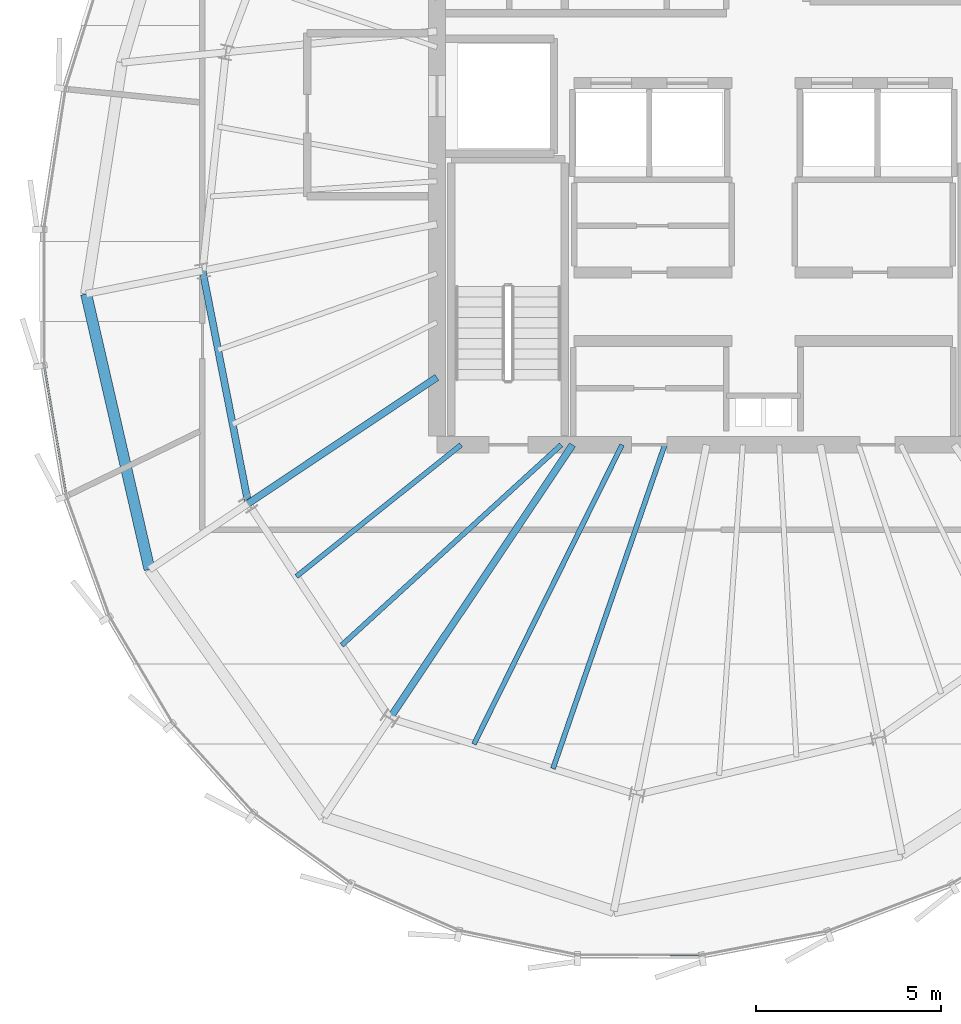
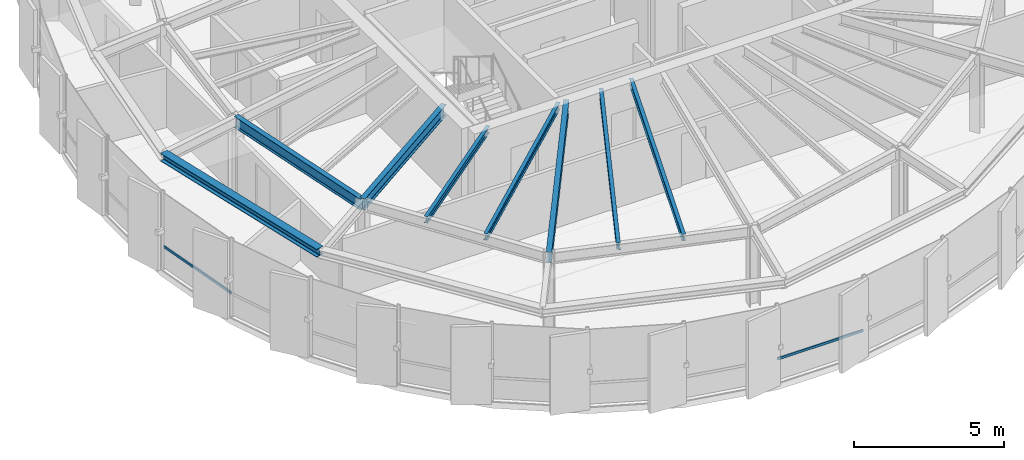
# One storey, part 5 of 31: 8 beams, 2 members, 2 elements without a shape of their own.
"""IFC4 building model written with IfcOpenShell, lengths in metres."""

from ifc_helpers import new_model, si_unit, direction, frame, origin, origin_2d, place, context, subcontext, project, spatial, hollow_rectangle, i_section, extrude, source, transform, mapped, material, layer, layer_set, material_profile, profile_set, type_object, element, aggregate, save


model = new_model("IFC4")

# Units and contexts
model_context = context("Model", 3, precision=1e-05, world=origin(), true_north=direction((0.0, 1.0)))
body_context = subcontext(model_context, "Body", "Model", "MODEL_VIEW")
ifc_project = project(units=[si_unit("LENGTHUNIT", "METRE"), si_unit("AREAUNIT", "SQUARE_METRE"), si_unit("VOLUMEUNIT", "CUBIC_METRE"), si_unit("PLANEANGLEUNIT", "RADIAN"), si_unit("MASSUNIT", "GRAM", prefix="KILO"), si_unit("THERMODYNAMICTEMPERATUREUNIT", "KELVIN")], contexts=[model_context])

# Site, building, storey
site_placement = place(None, origin())
site = spatial("IfcSite", under=ifc_project, at=site_placement, CompositionType="ELEMENT")
building_placement = place(site_placement, origin())
building = spatial("IfcBuilding", under=site, at=building_placement, Name="Kethvar Cultural Tower", CompositionType="ELEMENT")
storey_placement = place(building_placement, frame((0.0, 0.0, 276.699951171875)))
storey = spatial("IfcBuildingStorey", under=building, at=storey_placement, Name="L73", CompositionType="ELEMENT", Elevation=276.699951171875)

# Beams
ifc_material_1 = material(Name="Steel S355J2", Category="steel")
ifc_material_profile_1 = material_profile(ifc_material_1, i_section(OverallWidth=0.18994140625, OverallDepth=0.449951171875, WebThickness=0.009521484375, FlangeThickness=0.0146484375, FilletRadius=0.02099609375, at=origin_2d()), Name="Steel S355J2 — IPE450")
ifc_profile_set_1 = profile_set([ifc_material_profile_1], Name="Steel S355J2 — IPE450")
beam_type_1 = type_object("IfcBeamType", Name="BM-IPE450", PredefinedType="BEAM", material=ifc_profile_set_1)
shared_shape_1 = source(origin(), body_context, "Body", "SweptSolid", [
    extrude(i_section(OverallWidth=0.18994140625, OverallDepth=0.449951171875, WebThickness=0.009521484375, FlangeThickness=0.0146484375, FilletRadius=0.02099609375, at=origin_2d()), origin(), (0.0, 0.0, 1.0), 6.118408203125),
])
beam_1_placement = place(storey_placement, frame((38.0, 21.920166015625, 2.983154296875), z_axis=(-0.831466631282, -0.555574694406, 0.0), x_axis=(0.555574694406, -0.831466631282, 0.0)))
element("IfcBeam", 1, at=beam_1_placement, inside=storey, type_object=beam_type_1, Name="L73 Primary Radial Beam RB-10", PredefinedType="BEAM", context=body_context, shape_type="MappedRepresentation", body=[
    mapped(shared_shape_1, transform((0.0, 0.0, 0.0), scale=1.0)),
])
shared_shape_2 = source(origin(), body_context, "Body", "SweptSolid", [
    extrude(i_section(OverallWidth=0.18994140625, OverallDepth=0.449951171875, WebThickness=0.009521484375, FlangeThickness=0.0146484375, FilletRadius=0.02099609375, at=origin_2d()), origin(), (0.0, 0.0, 1.0), 8.86279296875),
])
beam_2_placement = place(storey_placement, frame((41.655029296875, 20.10009765625, 2.983154296875), z_axis=(-0.555564443415, -0.831473480764, 0.0), x_axis=(0.831473480764, -0.555564443415, 0.0)))
element("IfcBeam", 2, at=beam_2_placement, inside=storey, type_object=beam_type_1, Name="L73 Primary Radial Beam RB-11", PredefinedType="BEAM", context=body_context, shape_type="MappedRepresentation", body=[
    mapped(shared_shape_2, transform((0.0, 0.0, 0.0), scale=1.0)),
])
shared_shape_3 = source(origin(), body_context, "Body", "SweptSolid", [
    extrude(i_section(OverallWidth=0.18994140625, OverallDepth=0.449951171875, WebThickness=0.009521484375, FlangeThickness=0.0146484375, FilletRadius=0.02099609375, at=origin_2d()), origin(), (0.0, 0.0, 1.0), 6.391357421875),
])
beam_3_placement = place(storey_placement, frame((31.68310546875, 24.79296875, 2.983154296875), z_axis=(0.192405084368, -0.981315588131, 0.0), x_axis=(0.981315588131, 0.192405084368, 0.0)))
element("IfcBeam", 3, at=beam_3_placement, inside=storey, type_object=beam_type_1, Name="L73 Column Ring Tie Beam CR-09", PredefinedType="BEAM", context=body_context, shape_type="MappedRepresentation", body=[
    mapped(shared_shape_3, transform((0.0, 0.0, 0.0), scale=1.0)),
])
ifc_material_profile_2 = material_profile(ifc_material_1, i_section(OverallWidth=0.300048828125, OverallDepth=0.320068359375, WebThickness=0.011474609375, FlangeThickness=0.0205078125, FilletRadius=0.027099609375, at=origin_2d()), Name="Steel S355J2 — HEB320")
ifc_profile_set_2 = profile_set([ifc_material_profile_2], Name="Steel S355J2 — HEB320")
beam_type_2 = type_object("IfcBeamType", Name="BM-SP320", PredefinedType="SPANDREL", material=ifc_profile_set_2)
shared_shape_4 = source(origin(), body_context, "Body", "SweptSolid", [
    extrude(i_section(OverallWidth=0.300048828125, OverallDepth=0.320068359375, WebThickness=0.011474609375, FlangeThickness=0.0205078125, FilletRadius=0.027099609375, at=origin_2d()), origin(), (0.0, 0.0, 1.0), 7.619384765625),
])
beam_4_placement = place(storey_placement, frame((28.54443359375, 24.168701171875, 3.048095703125), z_axis=(0.224133998424, -0.974558336248, 0.0), x_axis=(0.974558336248, 0.224133998424, 0.0)))
element("IfcBeam", 4, at=beam_4_placement, inside=storey, type_object=beam_type_2, Name="L73 Perimeter Spandrel Beam SP-09", PredefinedType="SPANDREL", context=body_context, shape_type="MappedRepresentation", body=[
    mapped(shared_shape_4, transform((0.0, 0.0, 0.0), scale=1.0)),
])
ifc_material_profile_3 = material_profile(ifc_material_1, i_section(OverallWidth=0.135009765625, OverallDepth=0.27001953125, WebThickness=0.006591796875, FlangeThickness=0.01025390625, FilletRadius=0.014892578125, at=origin_2d()), Name="Steel S355J2 — IPE270")
ifc_profile_set_3 = profile_set([ifc_material_profile_3], Name="Steel S355J2 — IPE270")
beam_type_3 = type_object("IfcBeamType", Name="BM-J270", PredefinedType="JOIST", material=ifc_profile_set_3)
shared_shape_5 = source(origin(), body_context, "Body", "SweptSolid", [
    extrude(i_section(OverallWidth=0.135009765625, OverallDepth=0.27001953125, WebThickness=0.006591796875, FlangeThickness=0.01025390625, FilletRadius=0.014892578125, at=origin_2d()), origin(), (0.0, 0.0, 1.0), 5.68212890625),
])
beam_5_placement = place(storey_placement, frame((38.64990234375, 20.10009765625, 3.072998046875), z_axis=(-0.781157957733, -0.624333440615, 0.0), x_axis=(0.624333440615, -0.781157957733, 0.0)))
element("IfcBeam", 5, at=beam_5_placement, inside=storey, type_object=beam_type_3, Name="L73 Composite Floor Joist J-10A", PredefinedType="JOIST", context=body_context, shape_type="MappedRepresentation", body=[
    mapped(shared_shape_5, transform((0.0, 0.0, 0.0), scale=1.0)),
])
shared_shape_6 = source(origin(), body_context, "Body", "SweptSolid", [
    extrude(i_section(OverallWidth=0.135009765625, OverallDepth=0.27001953125, WebThickness=0.006591796875, FlangeThickness=0.01025390625, FilletRadius=0.014892578125, at=origin_2d()), origin(), (0.0, 0.0, 1.0), 8.010986328125),
])
beam_6_placement = place(storey_placement, frame((41.35009765625, 20.10009765625, 3.072998046875), z_axis=(-0.738614798856, -0.674127717061, 0.0), x_axis=(0.674127717061, -0.738614798856, 0.0)))
element("IfcBeam", 6, at=beam_6_placement, inside=storey, type_object=beam_type_3, Name="L73 Composite Floor Joist J-10B", PredefinedType="JOIST", context=body_context, shape_type="MappedRepresentation", body=[
    mapped(shared_shape_6, transform((0.0, 0.0, 0.0), scale=1.0)),
])
shared_shape_7 = source(origin(), body_context, "Body", "SweptSolid", [
    extrude(i_section(OverallWidth=0.135009765625, OverallDepth=0.27001953125, WebThickness=0.006591796875, FlangeThickness=0.01025390625, FilletRadius=0.014892578125, at=origin_2d()), origin(), (0.0, 0.0, 1.0), 9.00341796875),
])
beam_7_placement = place(storey_placement, frame((42.989501953125, 20.10009765625, 3.072998046875), z_axis=(-0.443543695319, -0.896252749141, 0.0), x_axis=(0.896252749141, -0.443543695319, 0.0)))
element("IfcBeam", 7, at=beam_7_placement, inside=storey, type_object=beam_type_3, Name="L73 Composite Floor Joist J-11A", PredefinedType="JOIST", context=body_context, shape_type="MappedRepresentation", body=[
    mapped(shared_shape_7, transform((0.0, 0.0, 0.0), scale=1.0)),
])
shared_shape_8 = source(origin(), body_context, "Body", "SweptSolid", [
    extrude(i_section(OverallWidth=0.135009765625, OverallDepth=0.27001953125, WebThickness=0.006591796875, FlangeThickness=0.01025390625, FilletRadius=0.014892578125, at=origin_2d()), origin(), (0.0, 0.0, 1.0), 9.234130859375),
])
beam_8_placement = place(storey_placement, frame((44.1416015625, 20.10009765625, 3.072998046875), z_axis=(-0.326362208058, -0.945244787953, 0.0), x_axis=(0.945244787953, -0.326362208058, 0.0)))
element("IfcBeam", 8, at=beam_8_placement, inside=storey, type_object=beam_type_3, Name="L73 Composite Floor Joist J-11B", PredefinedType="JOIST", context=body_context, shape_type="MappedRepresentation", body=[
    mapped(shared_shape_8, transform((0.0, 0.0, 0.0), scale=1.0)),
])

# Curtain wall, member
ifc_material_2 = material(Name="Aluminium 6063-T6", Category="aluminium")
ifc_layer = layer(ifc_material_2, 0.179931640625, Name="Aluminium 6063-T6", Category="aluminium")
ifc_layer_set = layer_set([ifc_layer], Name="Aluminium 6063-T6 (180 mm)")
curtain_wall_type = type_object("IfcCurtainWallType", Name="CW-SYS-05-Z56", PredefinedType="NOTDEFINED", material=ifc_layer_set)
curtain_wall_1_placement = place(storey_placement, origin())
curtain_wall_1 = element("IfcCurtainWall", 9, at=curtain_wall_1_placement, inside=storey, type_object=curtain_wall_type, Name="L73 Curtain Wall Run 03", PredefinedType="NOTDEFINED")
ifc_material_profile_4 = material_profile(ifc_material_2, hollow_rectangle(XDim=0.050048828125, YDim=0.10009765625, WallThickness=0.00390625, at=origin_2d()), Name="Aluminium 6063-T6 — RHS100x50x4")
ifc_profile_set_4 = profile_set([ifc_material_profile_4], Name="Aluminium 6063-T6 — RHS100x50x4")
member_type = type_object("IfcMemberType", Name="CW-SYS-05-Z56-TRN", PredefinedType="USERDEFINED", material=ifc_profile_set_4)
shared_shape_9 = source(origin(), body_context, "Body", "SweptSolid", [
    extrude(hollow_rectangle(XDim=0.050048828125, YDim=0.10009765625, WallThickness=0.00390625, at=origin_2d()), origin(), (0.0, 0.0, 1.0), 3.515625),
])
member_1_placement = place(storey_placement, frame((27.419189453125, 22.2021484375, 0.949951171875), z_axis=(0.167573895281, -0.985859518197, 0.0), x_axis=(0.985859518197, 0.167573895281, 0.0)))
member_1 = element("IfcMember", 10, at=member_1_placement, type_object=member_type, Name="CW-L73-R03 Transom 2", ObjectType="TRANSOM", PredefinedType="USERDEFINED", context=body_context, shape_type="MappedRepresentation", body=[
    mapped(shared_shape_9, transform((0.0, 0.0, 0.0), scale=1.0)),
])
aggregate(curtain_wall_1, [member_1])

curtain_wall_2_placement = place(storey_placement, origin())
curtain_wall_2 = element("IfcCurtainWall", 11, at=curtain_wall_2_placement, inside=storey, type_object=curtain_wall_type, Name="L73 Curtain Wall Run 04", PredefinedType="NOTDEFINED")
shared_shape_10 = source(origin(), body_context, "Body", "SweptSolid", [
    extrude(hollow_rectangle(XDim=0.050048828125, YDim=0.10009765625, WallThickness=0.00390625, at=origin_2d()), origin(), (0.0, 0.0, 1.0), 3.281494140625),
])
member_2_placement = place(storey_placement, frame((41.831787109375, 6.35693359375, 0.949951171875), z_axis=(0.999999291489, -0.001190386777, 0.0), x_axis=(0.001190386777, 0.999999291489, 0.0)))
member_2 = element("IfcMember", 12, at=member_2_placement, type_object=member_type, Name="CW-L73-R04 Transom 3", ObjectType="TRANSOM", PredefinedType="USERDEFINED", context=body_context, shape_type="MappedRepresentation", body=[
    mapped(shared_shape_10, transform((0.0, 0.0, 0.0), scale=1.0)),
])
aggregate(curtain_wall_2, [member_2])

save(model, "model.ifc")
